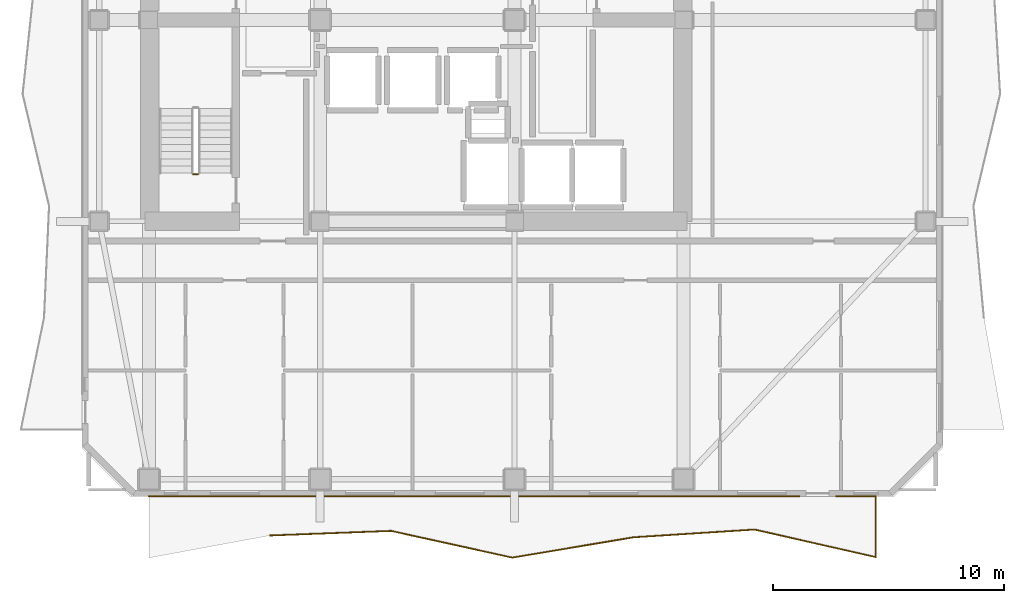
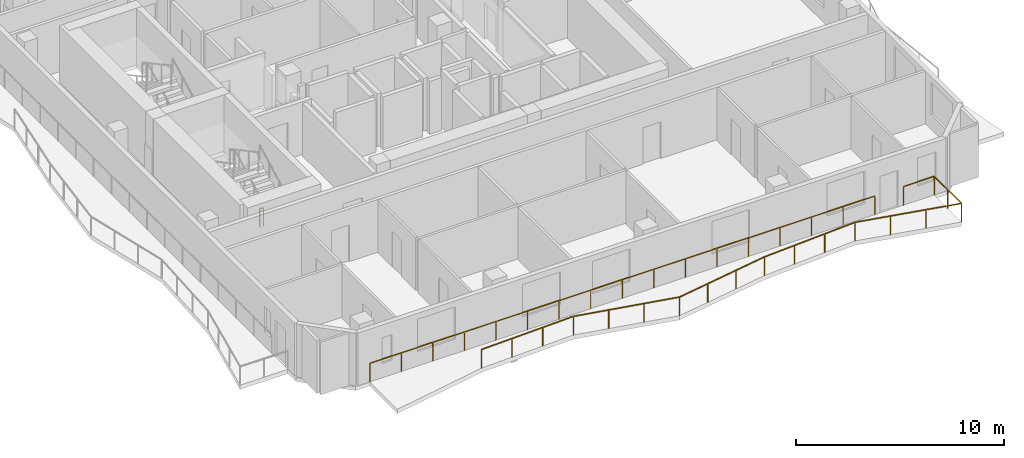
# One storey, part 7 of 9: 3 railings.
"""IFC4 building model written with IfcOpenShell, lengths in metres."""

import ifcopenshell
import ifcopenshell.guid

model = None  # the IFC model being written
_history = None  # IfcOwnerHistory: only IFC2X3 demands one
_inside = {}  # id of a spatial element -> (the spatial element, [elements in it])
_under = {}  # id of a project, library or spatial element -> (it, [spatial elements below it])
_declared = {}  # id of a project -> (the project, [libraries it declares])
_typed = {}  # id of a type object -> (the type object, [elements of that type])
_made_of = {}  # id of a material, layer set ... -> (it, [elements and type objects made of it])


def new_model(schema):
    """Start an empty IFC model of exactly this schema.

    Asked for "IFC4X3", IfcOpenShell would pick the latest addendum, in which some entities
    have other attributes; the version numbers below select the first issue.
    IFC2X3 requires an IfcOwnerHistory on every rooted entity: one is made here for all.
    """
    global model, _history
    if schema == "IFC4X3":
        model = ifcopenshell.file(schema_version=(4, 3, 0, 0))
    else:
        model = ifcopenshell.file(schema=schema)
    _inside.clear()
    _under.clear()
    _declared.clear()
    _typed.clear()
    _made_of.clear()
    _history = None
    if model.schema == "IFC2X3":
        org = make("IfcOrganization", Name="unknown")
        user = make(
            "IfcPersonAndOrganization",
            ThePerson=make("IfcPerson", FamilyName="unknown"),
            TheOrganization=org,
        )
        app = make(
            "IfcApplication",
            ApplicationDeveloper=org,
            Version="unknown",
            ApplicationFullName="unknown",
            ApplicationIdentifier="unknown",
        )
        _history = make(
            "IfcOwnerHistory",
            OwningUser=user,
            OwningApplication=app,
            ChangeAction="ADDED",
            CreationDate=0,
        )
    return model


def make(cls, **values):
    """One entity of the class cls with the attributes given. An attribute that is None is left unset."""
    return model.create_entity(
        cls, **{name: value for name, value in values.items() if value is not None}
    )


def rooted(cls, **values):
    """An entity with a GlobalId (a new one), such as an element, a storey or a relation."""
    return make(cls, GlobalId=ifcopenshell.guid.new(), OwnerHistory=_history, **values)


def si_unit(unit_type, name, prefix=None):
    """IfcSIUnit, for example si_unit("LENGTHUNIT", "METRE", prefix="MILLI")."""
    return make("IfcSIUnit", UnitType=unit_type, Prefix=prefix, Name=name)


def assignment(units):
    """IfcUnitAssignment: the units of a project."""
    return None if units is None else make("IfcUnitAssignment", Units=units)


def point(xyz):
    """IfcCartesianPoint."""
    return None if xyz is None else make("IfcCartesianPoint", Coordinates=xyz)


def direction(xyz):
    """IfcDirection."""
    return None if xyz is None else make("IfcDirection", DirectionRatios=xyz)


def frame(location, z_axis=None, x_axis=None):
    """IfcAxis2Placement3D, a coordinate frame: its origin and axes. An axis left out is left unset."""
    return make(
        "IfcAxis2Placement3D",
        Location=point(location),
        Axis=direction(z_axis),
        RefDirection=direction(x_axis),
    )


def frame_2d(location, x_axis=None):
    """IfcAxis2Placement2D, a coordinate frame in the plane: its origin and x axis."""
    return make(
        "IfcAxis2Placement2D", Location=point(location), RefDirection=direction(x_axis)
    )


def origin():
    """The frame at (0, 0, 0) with its axes left unset."""
    return frame((0.0, 0.0, 0.0))


def origin_2d():
    """The frame at (0, 0) in the plane with its x axis left unset."""
    return frame_2d((0.0, 0.0))


def place(relative_to, where):
    """IfcLocalPlacement: puts the frame where relative to a parent placement (None: the world)."""
    return make(
        "IfcLocalPlacement", PlacementRelTo=relative_to, RelativePlacement=where
    )


def context(
    kind, dimensions, precision=None, world=None, true_north=None, identifier=None
):
    """IfcGeometricRepresentationContext, for example the 3D "Model" context."""
    return make(
        "IfcGeometricRepresentationContext",
        ContextIdentifier=identifier,
        ContextType=kind,
        CoordinateSpaceDimension=dimensions,
        Precision=precision,
        WorldCoordinateSystem=world,
        TrueNorth=true_north,
    )


def subcontext(parent, identifier, kind, view, scale=None):
    """IfcGeometricRepresentationSubContext, for example "Body" below "Model"."""
    return make(
        "IfcGeometricRepresentationSubContext",
        ContextIdentifier=identifier,
        ContextType=kind,
        ParentContext=parent,
        TargetScale=scale,
        TargetView=view,
    )


def project(units=None, contexts=None):
    """IfcProject with its units and contexts."""
    return rooted(
        "IfcProject",
        Name="project",
        RepresentationContexts=contexts,
        UnitsInContext=assignment(units),
    )


def spatial(cls, under=None, at=None, **own):
    """A site, building, storey or space (cls), placed at a placement, below another one or the project."""
    s = rooted(cls, ObjectPlacement=at, **own)
    if under is not None:
        _under.setdefault(under.id(), (under, []))[1].append(s)
    return s


def profile(cls, at=None, kind="AREA", **sizes):
    """A parametric profile (cls). Its sizes go by their IFC names, for example OverallWidth=200.0."""
    return make(cls, ProfileType=kind, Position=at, **sizes)


def rectangle(**sizes):
    """IfcRectangleProfileDef."""
    return profile("IfcRectangleProfileDef", **sizes)


def extrude(swept, where, along, depth):
    """IfcExtrudedAreaSolid: the profile swept, set in the frame where, extruded along a direction by depth."""
    return make(
        "IfcExtrudedAreaSolid",
        SweptArea=swept,
        Position=where,
        ExtrudedDirection=direction(along),
        Depth=depth,
    )


def shape(context_of_items, identifier, shape_type, items):
    """IfcShapeRepresentation: the items that make up one representation, for example the "Body"."""
    return make(
        "IfcShapeRepresentation",
        ContextOfItems=context_of_items,
        RepresentationIdentifier=identifier,
        RepresentationType=shape_type,
        Items=items,
    )


def material(Name=None, Category=None):
    """IfcMaterial."""
    return make("IfcMaterial", Name=Name, Category=Category)


def made_of(thing, what):
    """Note that an element or type object is made of a material, layer set ...; save() writes the relation."""
    if what is not None:
        _made_of.setdefault(what.id(), (what, []))[1].append(thing)
    return thing


def type_object(cls, material=None, **own):
    """A type object (cls), such as IfcWallType, which elements share."""
    return made_of(rooted(cls, **own), material)


def element(
    cls,
    number,
    at=None,
    inside=None,
    cuts=None,
    type_object=None,
    material=None,
    context=None,
    identifier="Body",
    shape_type=None,
    held_by="IfcProductDefinitionShape",
    body=None,
    shapes=None,
    **own,
):
    """One element of the class cls, such as IfcWall. Its Tag is "e" and its number.

    at: its placement. inside: the storey or other place that contains it. cuts: it is an
    opening in that element (IfcRelVoidsElement). A single representation is given by context,
    identifier, shape_type and body (its items); several are given by shapes. held_by: the class
    of the entity that holds the representations. save() writes the other relations.
    """
    e = rooted(cls, Tag="e%d" % number, ObjectPlacement=at, **own)
    if body is not None:
        shapes = [shape(context, identifier, shape_type, body)]
    if shapes is not None:
        e.Representation = make(held_by, Representations=shapes)
    if inside is not None:
        _inside.setdefault(inside.id(), (inside, []))[1].append(e)
    if cuts is not None:
        rooted(
            "IfcRelVoidsElement", RelatingBuildingElement=cuts, RelatedOpeningElement=e
        )
    if type_object is not None:
        _typed.setdefault(type_object.id(), (type_object, []))[1].append(e)
    return made_of(e, material)


def aggregate(whole, parts):
    """IfcRelAggregates: a whole, such as a stair, and the parts it consists of."""
    return rooted("IfcRelAggregates", RelatingObject=whole, RelatedObjects=parts)


def save(model, path):
    """Write the relations noted so far, then the file.

    IfcRelAggregates (storeys below a building ...), IfcRelContainedInSpatialStructure (elements
    in a storey), IfcRelDefinesByType, IfcRelAssociatesMaterial and IfcRelDeclares: one each for
    every whole, place, type object, material and project.
    """
    for whole, parts in _under.values():
        aggregate(whole, parts)
    for where, things in _inside.values():
        rooted(
            "IfcRelContainedInSpatialStructure",
            RelatedElements=things,
            RelatingStructure=where,
        )
    for kind, things in _typed.values():
        rooted("IfcRelDefinesByType", RelatedObjects=things, RelatingType=kind)
    for what, things in _made_of.values():
        rooted("IfcRelAssociatesMaterial", RelatedObjects=things, RelatingMaterial=what)
    for by, libraries in _declared.values():
        rooted("IfcRelDeclares", RelatingContext=by, RelatedDefinitions=libraries)
    model.write(path)


model = new_model("IFC4")

# Units and contexts
model_context = context("Model", 3, precision=1e-05, world=origin(), true_north=direction((0.0, 1.0)))
body_context = subcontext(model_context, "Body", "Model", "MODEL_VIEW")
ifc_project = project(units=[si_unit("LENGTHUNIT", "METRE"), si_unit("AREAUNIT", "SQUARE_METRE"), si_unit("VOLUMEUNIT", "CUBIC_METRE"), si_unit("PLANEANGLEUNIT", "RADIAN"), si_unit("MASSUNIT", "GRAM", prefix="KILO")], contexts=[model_context])

# Site, building, storey
site_placement = place(None, origin())
site = spatial("IfcSite", under=ifc_project, at=site_placement, CompositionType="ELEMENT")
building_placement = place(site_placement, origin())
building = spatial("IfcBuilding", under=site, at=building_placement, Name="Solanera Arch Residences", CompositionType="ELEMENT")
storey_placement = place(building_placement, frame((0.0, 0.0, 213.39990234375)))
storey = spatial("IfcBuildingStorey", under=building, at=storey_placement, Name="L62", CompositionType="ELEMENT", Elevation=213.39990234375)

# Railings
ifc_material_1 = material(Name="Steel S355 (ASTM A992 / A572 Grade 50)", Category="steel")
railing_type_1 = type_object("IfcRailingType", Name="Balustrade Railing BL-1100", PredefinedType="BALUSTRADE", material=ifc_material_1)
railing_1_placement = place(storey_placement, frame((18.633056640625, 8.423095703125, 0.0)))
element("IfcRailing", 1, at=railing_1_placement, inside=storey, type_object=railing_type_1, Name="L62 S Balcony Balustrade 1", PredefinedType="BALUSTRADE", context=body_context, shape_type="SweptSolid", body=[
    extrude(rectangle(XDim=0.048095703125, YDim=0.048095703125, at=origin_2d()), frame((0.0, 0.0, 1.09619140625), z_axis=(0.999285211852, 0.037802981006, 0.0), x_axis=(-0.037802981006, 0.999285211852, 0.0)), (0.0, 0.0, 1.0), 5.237548828125),
    extrude(rectangle(XDim=0.048095703125, YDim=0.048095703125, at=origin_2d()), frame((5.23388671875, 0.197998046875, 1.09619140625), z_axis=(0.976574624014, -0.215179003929, 0.0), x_axis=(0.215179003929, 0.976574624014, 0.0)), (0.0, 0.0, 1.0), 5.358642578125),
    extrude(rectangle(XDim=0.048095703125, YDim=0.048095703125, at=origin_2d()), frame((10.467041015625, -0.955078125, 1.09619140625), z_axis=(0.986276772513, 0.165100357366, 0.0), x_axis=(-0.165100357366, 0.986276772513, 0.0)), (0.0, 0.0, 1.0), 5.3056640625),
    extrude(rectangle(XDim=0.048095703125, YDim=0.048095703125, at=origin_2d()), frame((15.699951171875, -0.0791015625, 1.09619140625), z_axis=(0.997934560364, 0.06423872065, 0.0), x_axis=(-0.06423872065, 0.997934560364, 0.0)), (0.0, 0.0, 1.0), 5.24462890625),
    extrude(rectangle(XDim=0.048095703125, YDim=0.048095703125, at=origin_2d()), frame((20.933837890625, 0.2578125, 1.09619140625), z_axis=(0.975109166071, -0.221725312593, 0.0), x_axis=(0.221725312593, 0.975109166071, 0.0)), (0.0, 0.0, 1.0), 5.36669921875),
    extrude(rectangle(XDim=0.048095703125, YDim=0.048095703125, at=origin_2d()), frame((26.1669921875, -0.93212890625, 1.09619140625), z_axis=(0.0, 1.0, 0.0), x_axis=(-1.0, 0.0, 0.0)), (0.0, 0.0, 1.0), 2.629150390625),
    extrude(rectangle(XDim=0.048095703125, YDim=0.048095703125, at=origin_2d()), frame((26.1669921875, 1.697021484375, 1.09619140625), z_axis=(-1.0, 0.0, 0.0), x_axis=(0.0, -1.0, 0.0)), (0.0, 0.0, 1.0), 1.7099609375),
    extrude(rectangle(XDim=0.0419921875, YDim=0.0419921875, at=origin_2d()), origin(), (0.0, 0.0, 1.0), 1.072021484375),
    extrude(rectangle(XDim=0.0419921875, YDim=0.0419921875, at=origin_2d()), frame((1.74462890625, 0.06591796875, 0.0)), (0.0, 0.0, 1.0), 1.072021484375),
    extrude(rectangle(XDim=0.0419921875, YDim=0.0419921875, at=origin_2d()), frame((3.4892578125, 0.132080078125, 0.0)), (0.0, 0.0, 1.0), 1.072021484375),
    extrude(rectangle(XDim=0.0419921875, YDim=0.0419921875, at=origin_2d()), frame((5.23388671875, 0.197998046875, 0.0)), (0.0, 0.0, 1.0), 1.072021484375),
    extrude(rectangle(XDim=0.0419921875, YDim=0.0419921875, at=origin_2d()), frame((6.978271484375, -0.186279296875, 0.0)), (0.0, 0.0, 1.0), 1.072021484375),
    extrude(rectangle(XDim=0.0419921875, YDim=0.0419921875, at=origin_2d()), frame((8.72265625, -0.57080078125, 0.0)), (0.0, 0.0, 1.0), 1.072021484375),
    extrude(rectangle(XDim=0.0419921875, YDim=0.0419921875, at=origin_2d()), frame((10.467041015625, -0.955078125, 0.0)), (0.0, 0.0, 1.0), 1.072021484375),
    extrude(rectangle(XDim=0.0419921875, YDim=0.0419921875, at=origin_2d()), frame((12.21142578125, -0.6630859375, 0.0)), (0.0, 0.0, 1.0), 1.072021484375),
    extrude(rectangle(XDim=0.0419921875, YDim=0.0419921875, at=origin_2d()), frame((13.95556640625, -0.37109375, 0.0)), (0.0, 0.0, 1.0), 1.072021484375),
    extrude(rectangle(XDim=0.0419921875, YDim=0.0419921875, at=origin_2d()), frame((15.699951171875, -0.0791015625, 0.0)), (0.0, 0.0, 1.0), 1.072021484375),
    extrude(rectangle(XDim=0.0419921875, YDim=0.0419921875, at=origin_2d()), frame((17.444580078125, 0.033203125, 0.0)), (0.0, 0.0, 1.0), 1.072021484375),
    extrude(rectangle(XDim=0.0419921875, YDim=0.0419921875, at=origin_2d()), frame((19.189208984375, 0.1455078125, 0.0)), (0.0, 0.0, 1.0), 1.072021484375),
    extrude(rectangle(XDim=0.0419921875, YDim=0.0419921875, at=origin_2d()), frame((20.933837890625, 0.2578125, 0.0)), (0.0, 0.0, 1.0), 1.072021484375),
    extrude(rectangle(XDim=0.0419921875, YDim=0.0419921875, at=origin_2d()), frame((22.67822265625, -0.138916015625, 0.0)), (0.0, 0.0, 1.0), 1.072021484375),
    extrude(rectangle(XDim=0.0419921875, YDim=0.0419921875, at=origin_2d()), frame((24.422607421875, -0.535400390625, 0.0)), (0.0, 0.0, 1.0), 1.072021484375),
    extrude(rectangle(XDim=0.0419921875, YDim=0.0419921875, at=origin_2d()), frame((26.1669921875, -0.93212890625, 0.0)), (0.0, 0.0, 1.0), 1.072021484375),
    extrude(rectangle(XDim=0.0419921875, YDim=0.0419921875, at=origin_2d()), frame((26.1669921875, 0.38232421875, 0.0)), (0.0, 0.0, 1.0), 1.072021484375),
    extrude(rectangle(XDim=0.0419921875, YDim=0.0419921875, at=origin_2d()), frame((26.1669921875, 1.697021484375, 0.0)), (0.0, 0.0, 1.0), 1.072021484375),
    extrude(rectangle(XDim=0.0419921875, YDim=0.0419921875, at=origin_2d()), frame((24.45703125, 1.697021484375, 0.0)), (0.0, 0.0, 1.0), 1.072021484375),
])
railing_2_placement = place(storey_placement, frame((41.489990234375, 10.1201171875, 0.0)))
element("IfcRailing", 2, at=railing_2_placement, inside=storey, type_object=railing_type_1, Name="L62 S Balcony Balustrade 2", PredefinedType="BALUSTRADE", context=body_context, shape_type="SweptSolid", body=[
    extrude(rectangle(XDim=0.048095703125, YDim=0.048095703125, at=origin_2d()), frame((0.0, 0.0, 1.09619140625), z_axis=(-1.0, 0.0, 0.0), x_axis=(0.0, -1.0, 0.0)), (0.0, 0.0, 1.0), 28.090087890625),
    extrude(rectangle(XDim=0.0419921875, YDim=0.0419921875, at=origin_2d()), origin(), (0.0, 0.0, 1.0), 1.072021484375),
    extrude(rectangle(XDim=0.0419921875, YDim=0.0419921875, at=origin_2d()), frame((-1.755615234375, 0.0, 0.0)), (0.0, 0.0, 1.0), 1.072021484375),
    extrude(rectangle(XDim=0.0419921875, YDim=0.0419921875, at=origin_2d()), frame((-3.51123046875, 0.0, 0.0)), (0.0, 0.0, 1.0), 1.072021484375),
    extrude(rectangle(XDim=0.0419921875, YDim=0.0419921875, at=origin_2d()), frame((-5.266845703125, 0.0, 0.0)), (0.0, 0.0, 1.0), 1.072021484375),
    extrude(rectangle(XDim=0.0419921875, YDim=0.0419921875, at=origin_2d()), frame((-7.0224609375, 0.0, 0.0)), (0.0, 0.0, 1.0), 1.072021484375),
    extrude(rectangle(XDim=0.0419921875, YDim=0.0419921875, at=origin_2d()), frame((-8.778076171875, 0.0, 0.0)), (0.0, 0.0, 1.0), 1.072021484375),
    extrude(rectangle(XDim=0.0419921875, YDim=0.0419921875, at=origin_2d()), frame((-10.53369140625, 0.0, 0.0)), (0.0, 0.0, 1.0), 1.072021484375),
    extrude(rectangle(XDim=0.0419921875, YDim=0.0419921875, at=origin_2d()), frame((-12.289306640625, 0.0, 0.0)), (0.0, 0.0, 1.0), 1.072021484375),
    extrude(rectangle(XDim=0.0419921875, YDim=0.0419921875, at=origin_2d()), frame((-14.044921875, 0.0, 0.0)), (0.0, 0.0, 1.0), 1.072021484375),
    extrude(rectangle(XDim=0.0419921875, YDim=0.0419921875, at=origin_2d()), frame((-15.80078125, 0.0, 0.0)), (0.0, 0.0, 1.0), 1.072021484375),
    extrude(rectangle(XDim=0.0419921875, YDim=0.0419921875, at=origin_2d()), frame((-17.556396484375, 0.0, 0.0)), (0.0, 0.0, 1.0), 1.072021484375),
    extrude(rectangle(XDim=0.0419921875, YDim=0.0419921875, at=origin_2d()), frame((-19.31201171875, 0.0, 0.0)), (0.0, 0.0, 1.0), 1.072021484375),
    extrude(rectangle(XDim=0.0419921875, YDim=0.0419921875, at=origin_2d()), frame((-21.067626953125, 0.0, 0.0)), (0.0, 0.0, 1.0), 1.072021484375),
    extrude(rectangle(XDim=0.0419921875, YDim=0.0419921875, at=origin_2d()), frame((-22.8232421875, 0.0, 0.0)), (0.0, 0.0, 1.0), 1.072021484375),
    extrude(rectangle(XDim=0.0419921875, YDim=0.0419921875, at=origin_2d()), frame((-24.578857421875, 0.0, 0.0)), (0.0, 0.0, 1.0), 1.072021484375),
    extrude(rectangle(XDim=0.0419921875, YDim=0.0419921875, at=origin_2d()), frame((-26.33447265625, 0.0, 0.0)), (0.0, 0.0, 1.0), 1.072021484375),
    extrude(rectangle(XDim=0.0419921875, YDim=0.0419921875, at=origin_2d()), frame((-28.090087890625, 0.0, 0.0)), (0.0, 0.0, 1.0), 1.072021484375),
])
ifc_material_2 = material(Name="Steel S355 (ASTM A992 / A572 Grade 50)", Category="steel")
railing_type_2 = type_object("IfcRailingType", Name="Stair Guardrail GR-1100", PredefinedType="GUARDRAIL", material=ifc_material_2)
railing_3_placement = place(storey_placement, frame((15.52001953125, 24.030029296875, -0.014892578125)))
element("IfcRailing", 3, at=railing_3_placement, inside=storey, type_object=railing_type_2, Name="L62 ST-T3 stair guard 4", PredefinedType="GUARDRAIL", context=body_context, shape_type="SweptSolid", body=[
    extrude(rectangle(XDim=0.048095703125, YDim=0.048095703125, at=origin_2d()), frame((0.0, 0.0, 1.076171875), z_axis=(-1.0, 0.0, 0.0), x_axis=(0.0, -1.0, 0.0)), (0.0, 0.0, 1.0), 0.199951171875),
    extrude(rectangle(XDim=0.0419921875, YDim=0.0419921875, at=origin_2d()), origin(), (0.0, 0.0, 1.0), 1.052001953125),
    extrude(rectangle(XDim=0.0419921875, YDim=0.0419921875, at=origin_2d()), frame((-0.199951171875, 0.0, 0.0)), (0.0, 0.0, 1.0), 1.052001953125),
])

save(model, "model.ifc")
